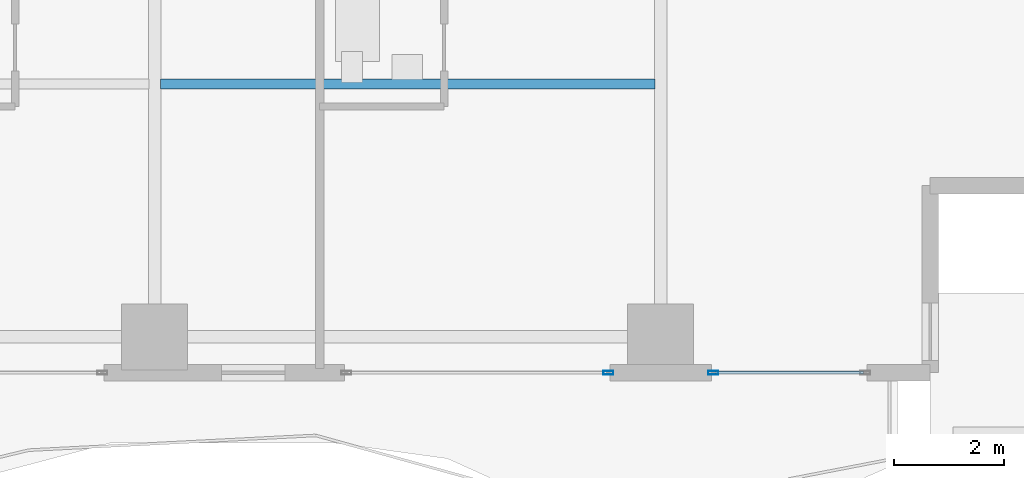
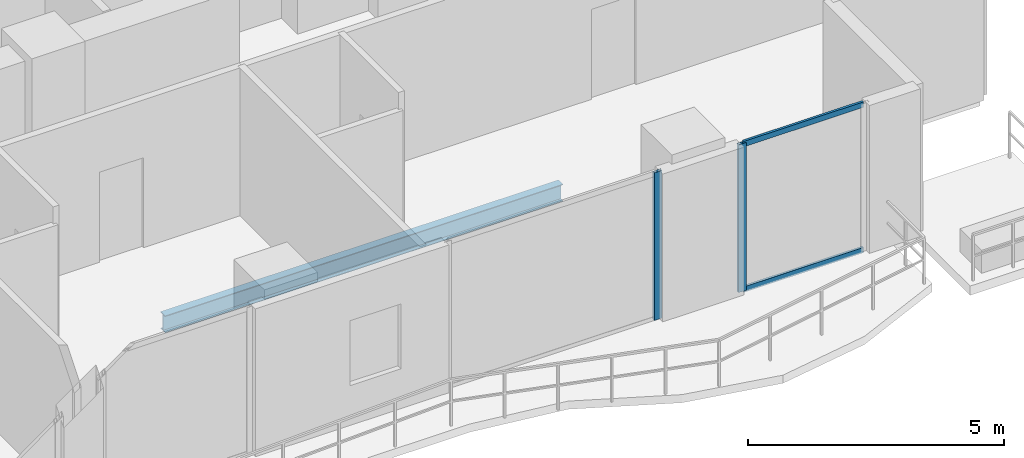
# One storey, part 11 of 32: 4 members, 1 beam, 2 elements without a shape of their own.
"""IFC4 building model written with IfcOpenShell, lengths in metres."""

from ifc_helpers import new_model, si_unit, direction, frame, origin, origin_2d, place, context, subcontext, project, spatial, hollow_rectangle, i_section, extrude, material, layer, layer_set, material_profile, profile_set, type_object, element, aggregate, save


model = new_model("IFC4")

# Units and contexts
model_context = context("Model", 3, precision=1e-05, world=origin(), true_north=direction((0.0, 1.0)))
body_context = subcontext(model_context, "Body", "Model", "MODEL_VIEW")
ifc_project = project(units=[si_unit("LENGTHUNIT", "METRE"), si_unit("AREAUNIT", "SQUARE_METRE"), si_unit("VOLUMEUNIT", "CUBIC_METRE"), si_unit("PLANEANGLEUNIT", "RADIAN"), si_unit("MASSUNIT", "GRAM", prefix="KILO")], contexts=[model_context])

# Site, building, storey
site_placement = place(None, origin())
site = spatial("IfcSite", under=ifc_project, at=site_placement, CompositionType="ELEMENT")
building_placement = place(site_placement, origin())
building = spatial("IfcBuilding", under=site, at=building_placement, Name="Zuhayl Quay Hotel", CompositionType="ELEMENT")
storey_placement = place(building_placement, frame((0.0, 0.0, 203.64990234375)))
storey = spatial("IfcBuildingStorey", under=building, at=storey_placement, Name="L51", CompositionType="ELEMENT", Elevation=203.64990234375)

# Beam
ifc_material_1 = material(Name="Steel ASTM A992 Grade 50", Category="steel")
ifc_material_profile_1 = material_profile(ifc_material_1, i_section(OverallWidth=0.177978515625, OverallDepth=0.406005859375, WebThickness=0.0078125, FlangeThickness=0.0126953125, at=origin_2d()), Name="W16X40")
ifc_profile_set_1 = profile_set([ifc_material_profile_1], Name="Steel ASTM A992 Grade 50")
beam_type = type_object("IfcBeamType", Name="BM_J2B_W16X40", PredefinedType="JOIST", material=ifc_profile_set_1)
beam_placement = place(storey_placement, frame((4.7060546875, -2.35009765625, -0.4228515625), z_axis=(1.0, 0.0, 0.0), x_axis=(0.0, 1.0, 0.0)))
element("IfcBeam", 1, at=beam_placement, inside=storey, type_object=beam_type, Name="L51 Floor Beam FJ_L51_7_3", PredefinedType="JOIST", context=body_context, shape_type="SweptSolid", body=[
    extrude(i_section(OverallWidth=0.177978515625, OverallDepth=0.406005859375, WebThickness=0.0078125, FlangeThickness=0.0126953125, at=origin_2d()), origin(), (0.0, 0.0, 1.0), 8.988037109375),
])

# Curtain wall, member
ifc_material_2 = material(Name="Anodised Aluminium 6063-T6", Category="aluminium")
ifc_layer = layer(ifc_material_2, 0.175048828125, Name="Anodised Aluminium 6063-T6", Category="aluminium")
ifc_layer_set = layer_set([ifc_layer], Name="Anodised Aluminium 6063-T6")
curtain_wall_type = type_object("IfcCurtainWallType", Name="CW_SYS_Z3", PredefinedType="USERDEFINED", material=ifc_layer_set)
curtain_wall_1_placement = place(storey_placement, origin())
curtain_wall_1 = element("IfcCurtainWall", 2, at=curtain_wall_1_placement, inside=storey, type_object=curtain_wall_type, Name="L51 Curtain Wall ENV_L51_S_CW1", ObjectType="UNITISED CURTAIN WALL", PredefinedType="USERDEFINED")
ifc_material_3 = material(Name="Black-anodised aluminium 6063-T6", Category="aluminium")
ifc_material_profile_2 = material_profile(ifc_material_3, hollow_rectangle(XDim=0.06494140625, YDim=0.179931640625, WallThickness=0.00341796875, at=origin_2d()), Name="ALU180X65")
ifc_profile_set_2 = profile_set([ifc_material_profile_2], Name="Black-anodised aluminium 6063-T6")
member_type_1 = type_object("IfcMemberType", Name="MB_CW_MUL_180", PredefinedType="MULLION", material=ifc_profile_set_2)
member_1_placement = place(storey_placement, frame((14.75244140625, -7.60009765625, 0.0), z_axis=(0.0, 0.0, 1.0), x_axis=(0.0, -1.0, 0.0)))
member_1 = element("IfcMember", 3, at=member_1_placement, type_object=member_type_1, Name="CW-Z3 mullion 2", PredefinedType="MULLION", context=body_context, shape_type="SweptSolid", body=[
    extrude(hollow_rectangle(XDim=0.06494140625, YDim=0.179931640625, WallThickness=0.00341796875, at=origin_2d()), origin(), (0.0, 0.0, 1.0), 3.530029296875),
])

curtain_wall_2_placement = place(storey_placement, origin())
curtain_wall_2 = element("IfcCurtainWall", 4, at=curtain_wall_2_placement, inside=storey, type_object=curtain_wall_type, Name="L51 Curtain Wall ENV_L51_S_CW2", ObjectType="UNITISED CURTAIN WALL", PredefinedType="USERDEFINED")
member_2_placement = place(storey_placement, frame((12.847412109375, -7.60009765625, 0.0), z_axis=(0.0, 0.0, 1.0), x_axis=(0.0, -1.0, 0.0)))
member_2 = element("IfcMember", 5, at=member_2_placement, type_object=member_type_1, Name="CW-Z3 mullion 1", PredefinedType="MULLION", context=body_context, shape_type="SweptSolid", body=[
    extrude(hollow_rectangle(XDim=0.06494140625, YDim=0.179931640625, WallThickness=0.00341796875, at=origin_2d()), origin(), (0.0, 0.0, 1.0), 3.530029296875),
])
aggregate(curtain_wall_2, [member_2])

# Member
ifc_material_profile_3 = material_profile(ifc_material_3, hollow_rectangle(XDim=0.054931640625, YDim=0.1298828125, WallThickness=0.0029296875, at=origin_2d()), Name="ALU130X55")
ifc_profile_set_3 = profile_set([ifc_material_profile_3], Name="Black-anodised aluminium 6063-T6")
member_type_2 = type_object("IfcMemberType", Name="MB_CW_TRN_130", PredefinedType="USERDEFINED", material=ifc_profile_set_3)
member_3_placement = place(storey_placement, frame((17.485107421875, -7.60009765625, 0.027587890625), z_axis=(-1.0, 0.0, 0.0), x_axis=(0.0, -1.0, 0.0)))
member_3 = element("IfcMember", 6, at=member_3_placement, type_object=member_type_2, Name="CW-Z3 transom 1.1", ObjectType="TRANSOM", PredefinedType="USERDEFINED", context=body_context, shape_type="SweptSolid", body=[
    extrude(hollow_rectangle(XDim=0.054931640625, YDim=0.1298828125, WallThickness=0.0029296875, at=origin_2d()), origin(), (0.0, 0.0, 1.0), 2.7001953125),
])

member_4_placement = place(storey_placement, frame((17.485107421875, -7.60009765625, 3.502685546875), z_axis=(-1.0, 0.0, 0.0), x_axis=(0.0, -1.0, 0.0)))
member_4 = element("IfcMember", 7, at=member_4_placement, type_object=member_type_2, Name="CW-Z3 transom 1.2", ObjectType="TRANSOM", PredefinedType="USERDEFINED", context=body_context, shape_type="SweptSolid", body=[
    extrude(hollow_rectangle(XDim=0.054931640625, YDim=0.1298828125, WallThickness=0.0029296875, at=origin_2d()), origin(), (0.0, 0.0, 1.0), 2.7001953125),
])

aggregate(curtain_wall_1, [member_1, member_3, member_4])

save(model, "model.ifc")
